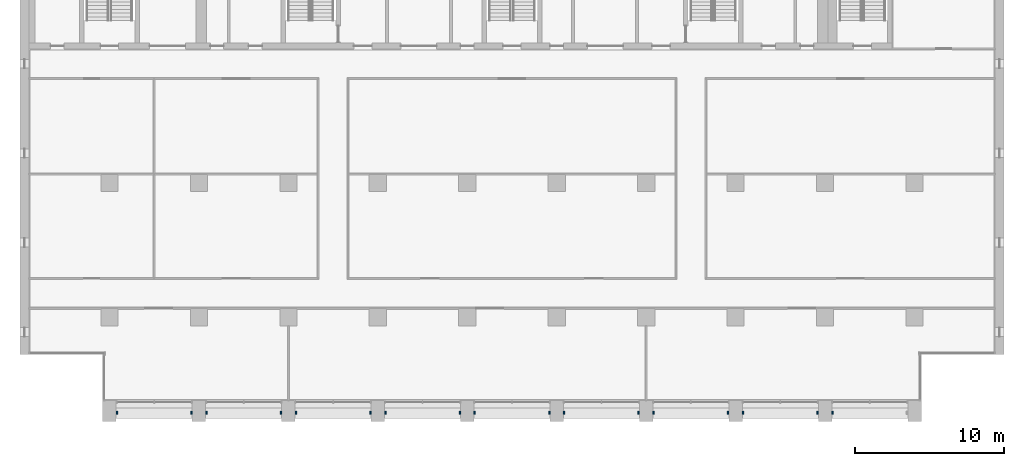
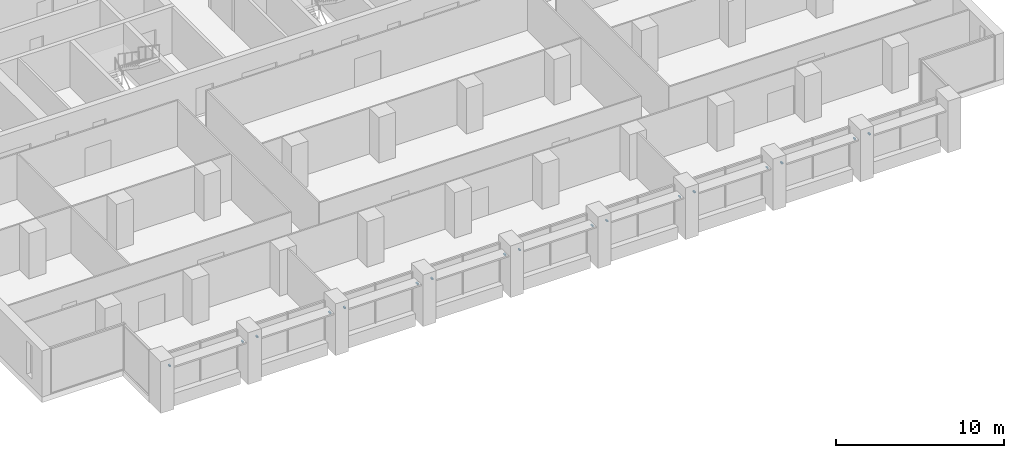
# One storey, part 14 of 16: 17 discrete accessories.
"""IFC4 building model written with IfcOpenShell, lengths in metres."""

from ifc_helpers import new_model, si_unit, direction, frame, origin, origin_2d, place, context, subcontext, project, spatial, rectangle, extrude, element, save


model = new_model("IFC4")

# Units and contexts
model_context = context("Model", 3, precision=1e-05, world=origin(), true_north=direction((0.0, 1.0)))
body_context = subcontext(model_context, "Body", "Model", "MODEL_VIEW")
ifc_project = project(units=[si_unit("LENGTHUNIT", "METRE"), si_unit("AREAUNIT", "SQUARE_METRE"), si_unit("VOLUMEUNIT", "CUBIC_METRE"), si_unit("PLANEANGLEUNIT", "RADIAN"), si_unit("MASSUNIT", "GRAM", prefix="KILO")], contexts=[model_context])

# Site, building, storey
site_placement = place(None, origin())
site = spatial("IfcSite", under=ifc_project, at=site_placement, CompositionType="ELEMENT")
building_placement = place(site_placement, origin())
building = spatial("IfcBuilding", under=site, at=building_placement, Name="Calvaro Tower", CompositionType="ELEMENT")
storey_placement = place(building_placement, frame((0.0, 0.0, 178.0)))
storey = spatial("IfcBuildingStorey", under=building, at=storey_placement, Name="L44", CompositionType="ELEMENT", Elevation=178.0)

# Discrete accessories
for number, where, z_axis, x_axis, name in (
    (1, (12.5, 3.60009765625, 2.349853515625), (0.0, 0.0, 1.0), (1.0, 0.0, 0.0), "Brise-soleil bracket"),
    (2, (17.5, 3.60009765625, 2.349853515625), (0.0, 0.0, 1.0), (1.0, 0.0, 0.0), "Brise-soleil bracket"),
    (3, (18.5, 3.60009765625, 2.349853515625), (0.0, 0.0, 1.0), (1.0, 0.0, 0.0), "Brise-soleil bracket"),
    (4, (23.5, 3.60009765625, 2.349853515625), (0.0, 0.0, 1.0), (1.0, 0.0, 0.0), "Brise-soleil bracket"),
    (5, (24.5, 3.60009765625, 2.349853515625), (0.0, 0.0, 1.0), (1.0, 0.0, 0.0), "Brise-soleil bracket"),
    (6, (29.5, 3.60009765625, 2.349853515625), (0.0, 0.0, 1.0), (1.0, 0.0, 0.0), "Brise-soleil bracket"),
    (7, (30.5, 3.60009765625, 2.349853515625), (0.0, 0.0, 1.0), (1.0, 0.0, 0.0), "Brise-soleil bracket"),
    (8, (35.5, 3.60009765625, 2.349853515625), (0.0, 0.0, 1.0), (1.0, 0.0, 0.0), "Brise-soleil bracket"),
    (9, (36.5, 3.60009765625, 2.349853515625), (0.0, 0.0, 1.0), (1.0, 0.0, 0.0), "Brise-soleil bracket"),
    (10, (41.5, 3.60009765625, 2.349853515625), (0.0, 0.0, 1.0), (1.0, 0.0, 0.0), "Brise-soleil bracket"),
    (11, (42.5, 3.60009765625, 2.349853515625), (0.0, 0.0, 1.0), (1.0, 0.0, 0.0), "Brise-soleil bracket"),
    (12, (47.5, 3.60009765625, 2.349853515625), (0.0, 0.0, 1.0), (1.0, 0.0, 0.0), "Brise-soleil bracket"),
    (13, (48.5, 3.60009765625, 2.349853515625), (0.0, 0.0, 1.0), (1.0, 0.0, 0.0), "Brise-soleil bracket"),
    (14, (53.5, 3.60009765625, 2.349853515625), (0.0, 0.0, 1.0), (1.0, 0.0, 0.0), "Brise-soleil bracket"),
    (15, (54.5, 3.60009765625, 2.349853515625), (0.0, 0.0, 1.0), (1.0, 0.0, 0.0), "Brise-soleil bracket"),
    (16, (59.5, 3.60009765625, 2.349853515625), (0.0, 0.0, 1.0), (1.0, 0.0, 0.0), "Brise-soleil bracket"),
    (17, (60.5, 3.60009765625, 2.349853515625), (0.0, 0.0, 1.0), (1.0, 0.0, 0.0), "Brise-soleil bracket"),
):
    element("IfcDiscreteAccessory", number, at=place(storey_placement, frame(where, z_axis=z_axis, x_axis=x_axis)), inside=storey, Name=name, PredefinedType="BRACKET", context=body_context, shape_type="SweptSolid", body=[
        extrude(rectangle(XDim=0.10009765625, YDim=0.199951171875, at=origin_2d()), origin(), (0.0, 0.0, 1.0), 0.10009765625),
    ])

save(model, "model.ifc")
